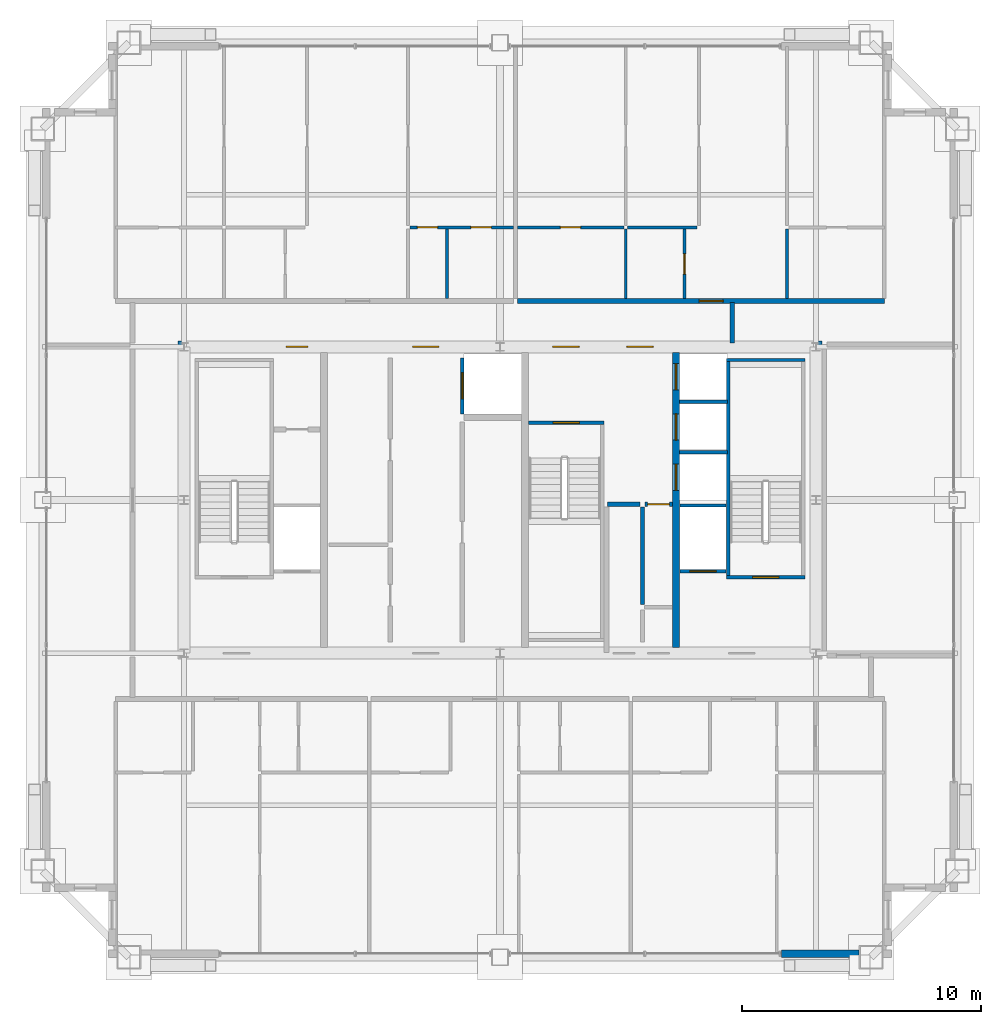
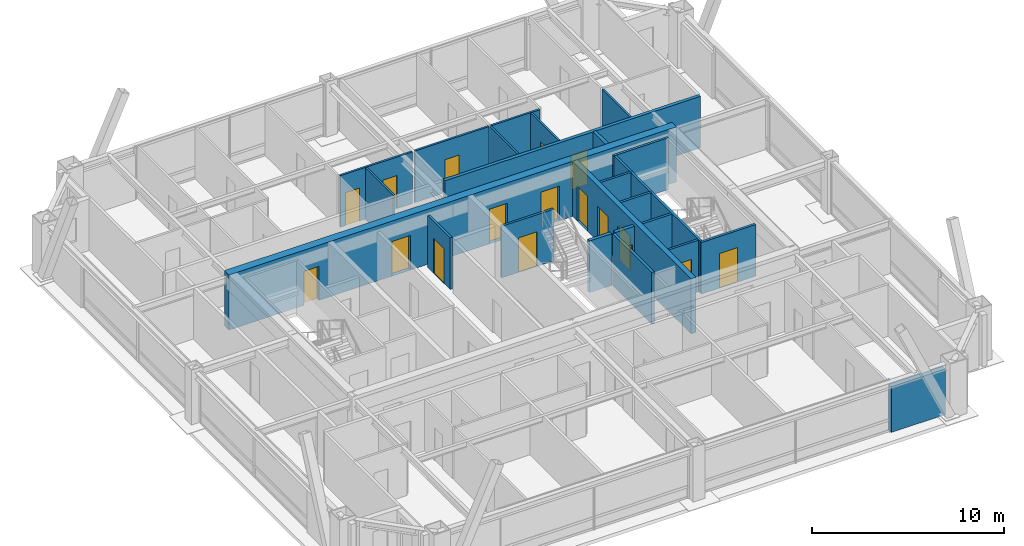
# One storey, part 32 of 35: 24 walls, 17 doors, 17 openings.
"""IFC4 building model written with IfcOpenShell, lengths in metres."""

from ifc_helpers import new_model, si_unit, direction, frame, frame_2d, origin, place, context, subcontext, project, spatial, rectangle, extrude, source, transform, mapped, material, layer, layer_set, type_object, element, fill, save


model = new_model("IFC4")

# Units and contexts
model_context = context("Model", 3, precision=1e-05, world=origin(), true_north=direction((0.0, 1.0)))
body_context = subcontext(model_context, "Body", "Model", "MODEL_VIEW")
ifc_project = project(units=[si_unit("LENGTHUNIT", "METRE"), si_unit("AREAUNIT", "SQUARE_METRE"), si_unit("VOLUMEUNIT", "CUBIC_METRE"), si_unit("PLANEANGLEUNIT", "RADIAN"), si_unit("MASSUNIT", "GRAM", prefix="KILO"), si_unit("THERMODYNAMICTEMPERATUREUNIT", "KELVIN"), si_unit("POWERUNIT", "WATT")], contexts=[model_context])

# Site, building, storey
site_placement = place(None, origin())
site = spatial("IfcSite", under=ifc_project, at=site_placement, CompositionType="ELEMENT")
building_placement = place(site_placement, origin())
building = spatial("IfcBuilding", under=site, at=building_placement, Name="Yuzanri Waterfront Tower", CompositionType="ELEMENT")
storey_placement = place(building_placement, frame((0.0, 0.0, 285.60009765625)))
storey = spatial("IfcBuildingStorey", under=building, at=storey_placement, Name="L76", CompositionType="ELEMENT", Elevation=285.60009765625)

# Wall, openings, doors
ifc_material_1 = material(Name="Moisture-Resistant Gypsum Stud Wall", Category="gypsum")
ifc_layer_1 = layer(ifc_material_1, 0.1201171875)
ifc_layer_set_1 = layer_set([ifc_layer_1], Name="Moisture-Resistant Gypsum Stud Wall")
wall_type_1 = type_object("IfcWallType", Name="Bathroom and Kitchen Wet Partition 120", PredefinedType="PARTITIONING", material=ifc_layer_set_1)
wall_1_placement = place(storey_placement, frame((33.239990234375, 37.18994140625, 0.0), z_axis=(0.0, 0.0, 1.0), x_axis=(1.0, 0.0, 0.0)))
wall_1 = element("IfcWall", 1, at=wall_1_placement, inside=storey, type_object=wall_type_1, Name="L76 Partition UW-L76-HN1-SUB-6-S", PredefinedType="PARTITIONING", context=body_context, shape_type="SweptSolid", body=[
    extrude(rectangle(XDim=4.322021484375, YDim=0.1201171875, at=frame_2d((2.1611328125, 0.0))), origin(), (0.0, 0.0, 1.0), 3.27978515625),
])
opening_1_placement = place(wall_1_placement, frame((2.547119140625, 0.0, 0.0)))
opening_1 = element("IfcOpeningElement", 2, at=opening_1_placement, cuts=wall_1, Name="Opening ID-0850", PredefinedType="OPENING", context=body_context, shape_type="SweptSolid", body=[
    extrude(rectangle(XDim=0.85009765625, YDim=2.10009765625, at=frame_2d((0.425048828125, 1.050048828125))), frame((0.0, 0.074951171875, 0.0), z_axis=(0.0, -1.0, 0.0), x_axis=(1.0, 0.0, 0.0)), (0.0, 0.0, 1.0), 0.14990234375),
])
opening_2_placement = place(wall_1_placement, frame((0.305908203125, 0.0, 0.0)))
opening_2 = element("IfcOpeningElement", 3, at=opening_2_placement, cuts=wall_1, Name="Opening ID-0850", PredefinedType="OPENING", context=body_context, shape_type="SweptSolid", body=[
    extrude(rectangle(XDim=0.85009765625, YDim=2.10009765625, at=frame_2d((0.425048828125, 1.050048828125))), frame((0.0, 0.074951171875, 0.0), z_axis=(0.0, -1.0, 0.0), x_axis=(1.0, 0.0, 0.0)), (0.0, 0.0, 1.0), 0.14990234375),
])
ifc_material_2 = material(Name="Moisture-Resistant Lacquered Timber", Category="wood")
door_type_1 = type_object("IfcDoorType", Name="En-Suite Bathroom and Kitchen Swing Door 850x2100", OperationType="NOTDEFINED", PredefinedType="DOOR", material=ifc_material_2)
shared_shape_1 = source(origin(), body_context, "Body", "SweptSolid", [
    extrude(rectangle(XDim=0.85009765625, YDim=2.10009765625, at=frame_2d((0.425048828125, 1.050048828125))), frame((0.0, 0.02490234375, 0.0), z_axis=(0.0, -1.0, 0.0), x_axis=(1.0, 0.0, 0.0)), (0.0, 0.0, 1.0), 0.050048828125),
])
door_1_placement = place(opening_1_placement, origin())
door_1 = element("IfcDoor", 4, at=door_1_placement, inside=storey, type_object=door_type_1, Name="L76 Suite Interior Room Door", OperationType="SINGLE_SWING_RIGHT", OverallHeight=2.10009765625, OverallWidth=0.85009765625, PredefinedType="DOOR", context=body_context, shape_type="MappedRepresentation", body=[
    mapped(shared_shape_1, transform((0.0, 0.0, 0.0), scale=1.0)),
])
fill(opening_1, door_1)
door_2_placement = place(opening_2_placement, origin())
door_2 = element("IfcDoor", 5, at=door_2_placement, inside=storey, type_object=door_type_1, Name="L76 Suite Interior Room Door", OperationType="SINGLE_SWING_LEFT", OverallHeight=2.10009765625, OverallWidth=0.85009765625, PredefinedType="DOOR", context=body_context, shape_type="MappedRepresentation", body=[
    mapped(shared_shape_1, transform((0.0, 0.0, 0.0), scale=1.0)),
])
fill(opening_2, door_2)

# Wall, opening, door
wall_2_placement = place(storey_placement, frame((37.721923828125, 37.18994140625, 0.0), z_axis=(0.0, 0.0, 1.0), x_axis=(1.0, 0.0, 0.0)))
wall_2 = element("IfcWall", 6, at=wall_2_placement, inside=storey, type_object=wall_type_1, Name="L76 Partition UW-L76-HN2-SUB-1-N", PredefinedType="PARTITIONING", context=body_context, shape_type="SweptSolid", body=[
    extrude(rectangle(XDim=4.4501953125, YDim=0.1201171875, at=frame_2d((2.22509765625, 0.0))), origin(), (0.0, 0.0, 1.0), 3.27978515625),
])
opening_3_placement = place(wall_2_placement, frame((1.800048828125, 0.0, 0.0)))
opening_3 = element("IfcOpeningElement", 7, at=opening_3_placement, cuts=wall_2, Name="Opening ID-0850", PredefinedType="OPENING", context=body_context, shape_type="SweptSolid", body=[
    extrude(rectangle(XDim=0.85009765625, YDim=2.10009765625, at=frame_2d((0.425048828125, 1.050048828125))), frame((0.0, 0.074951171875, 0.0), z_axis=(0.0, -1.0, 0.0), x_axis=(1.0, 0.0, 0.0)), (0.0, 0.0, 1.0), 0.14990234375),
])
door_3_placement = place(opening_3_placement, origin())
door_3 = element("IfcDoor", 8, at=door_3_placement, inside=storey, type_object=door_type_1, Name="L76 Suite Interior Room Door", OperationType="SINGLE_SWING_RIGHT", OverallHeight=2.10009765625, OverallWidth=0.85009765625, PredefinedType="DOOR", context=body_context, shape_type="MappedRepresentation", body=[
    mapped(shared_shape_1, transform((0.0, 0.0, 0.0), scale=1.0)),
])
fill(opening_3, door_3)

wall_3_placement = place(storey_placement, frame((44.7041015625, 34.2099609375, 0.0), z_axis=(0.0, 0.0, 1.0), x_axis=(0.0, 1.0, 0.0)))
wall_3 = element("IfcWall", 9, at=wall_3_placement, inside=storey, type_object=wall_type_1, Name="L76 Partition UW-L76-HN2-SUB-2-E", PredefinedType="PARTITIONING", context=body_context, shape_type="SweptSolid", body=[
    extrude(rectangle(XDim=2.900146484375, YDim=0.1201171875, at=frame_2d((1.4501953125, 0.0))), origin(), (0.0, 0.0, 1.0), 3.27978515625),
])
opening_4_placement = place(wall_3_placement, frame((1.02490234375, 0.0, 0.0)))
opening_4 = element("IfcOpeningElement", 10, at=opening_4_placement, cuts=wall_3, Name="Opening ID-0850", PredefinedType="OPENING", context=body_context, shape_type="SweptSolid", body=[
    extrude(rectangle(XDim=0.85009765625, YDim=2.10009765625, at=frame_2d((0.425048828125, 1.050048828125))), frame((0.0, 0.074951171875, 0.0), z_axis=(0.0, -1.0, 0.0), x_axis=(1.0, 0.0, 0.0)), (0.0, 0.0, 1.0), 0.14990234375),
])
door_4_placement = place(opening_4_placement, origin())
door_4 = element("IfcDoor", 11, at=door_4_placement, inside=storey, type_object=door_type_1, Name="L76 Suite Interior Room Door", OperationType="SINGLE_SWING_LEFT", OverallHeight=2.10009765625, OverallWidth=0.85009765625, PredefinedType="DOOR", context=body_context, shape_type="MappedRepresentation", body=[
    mapped(shared_shape_1, transform((0.0, 0.0, 0.0), scale=1.0)),
])
fill(opening_4, door_4)

# Wall, openings, doors
ifc_material_3 = material(Name="Concrete C45", Category="concrete")
ifc_layer_2 = layer(ifc_material_3, 0.47998046875)
ifc_layer_set_2 = layer_set([ifc_layer_2], Name="Concrete C45")
wall_type_2 = type_object("IfcWallType", Name="Concrete C45 High-Rise Core Shear Wall 480", PredefinedType="SHEAR", material=ifc_layer_set_2)
wall_4_placement = place(storey_placement, frame((23.56005859375, 32.199951171875, 0.0), z_axis=(0.0, 0.0, 1.0), x_axis=(1.0, 0.0, 0.0)))
wall_4 = element("IfcWall", 12, at=wall_4_placement, inside=storey, type_object=wall_type_2, Name="L76 Core North Shear Wall", PredefinedType="SHEAR", context=body_context, shape_type="SweptSolid", body=[
    extrude(rectangle(XDim=26.8798828125, YDim=0.47998046875, at=frame_2d((13.43994140625, 0.0))), origin(), (0.0, 0.0, 1.0), 3.5),
])
opening_5_placement = place(wall_4_placement, frame((4.510009765625, 0.0, 0.0)))
opening_5 = element("IfcOpeningElement", 13, at=opening_5_placement, cuts=wall_4, Name="Opening FD-0900", PredefinedType="OPENING", context=body_context, shape_type="SweptSolid", body=[
    extrude(rectangle(XDim=0.89990234375, YDim=2.14990234375, at=frame_2d((0.449951171875, 1.074951171875))), frame((0.0, 0.2548828125, 0.0), z_axis=(0.0, -1.0, 0.0), x_axis=(1.0, 0.0, 0.0)), (0.0, 0.0, 1.0), 0.509765625),
])
opening_6_placement = place(wall_4_placement, frame((9.7900390625, 0.0, 0.0)))
opening_6 = element("IfcOpeningElement", 14, at=opening_6_placement, cuts=wall_4, Name="Opening FD-1100", PredefinedType="OPENING", context=body_context, shape_type="SweptSolid", body=[
    extrude(rectangle(XDim=1.10009765625, YDim=2.199951171875, at=frame_2d((0.550048828125, 1.10009765625))), frame((0.0, 0.2548828125, 0.0), z_axis=(0.0, -1.0, 0.0), x_axis=(1.0, 0.0, 0.0)), (0.0, 0.0, 1.0), 0.509765625),
])
opening_7_placement = place(wall_4_placement, frame((15.639892578125, 0.0, 0.0)))
opening_7 = element("IfcOpeningElement", 15, at=opening_7_placement, cuts=wall_4, Name="Opening FD-1100", PredefinedType="OPENING", context=body_context, shape_type="SweptSolid", body=[
    extrude(rectangle(XDim=1.10009765625, YDim=2.199951171875, at=frame_2d((0.550048828125, 1.10009765625))), frame((0.0, 0.2548828125, 0.0), z_axis=(0.0, -1.0, 0.0), x_axis=(1.0, 0.0, 0.0)), (0.0, 0.0, 1.0), 0.509765625),
])
opening_8_placement = place(wall_4_placement, frame((18.739990234375, 0.0, 0.0)))
opening_8 = element("IfcOpeningElement", 16, at=opening_8_placement, cuts=wall_4, Name="Opening FD-1100", PredefinedType="OPENING", context=body_context, shape_type="SweptSolid", body=[
    extrude(rectangle(XDim=1.10009765625, YDim=2.199951171875, at=frame_2d((0.550048828125, 1.10009765625))), frame((0.0, 0.2548828125, 0.0), z_axis=(0.0, -1.0, 0.0), x_axis=(1.0, 0.0, 0.0)), (0.0, 0.0, 1.0), 0.509765625),
])
ifc_material_4 = material(Name="Painted Galvanized Fire Steel", Category="steel")
door_type_2 = type_object("IfcDoorType", Name="Smoke-Proof Stair and Lobby Fire Door 1100x2200", OperationType="NOTDEFINED", PredefinedType="DOOR", material=ifc_material_4)
shared_shape_2 = source(origin(), body_context, "Body", "SweptSolid", [
    extrude(rectangle(XDim=1.10009765625, YDim=2.199951171875, at=frame_2d((0.550048828125, 1.10009765625))), frame((0.0, 0.02490234375, 0.0), z_axis=(0.0, -1.0, 0.0), x_axis=(1.0, 0.0, 0.0)), (0.0, 0.0, 1.0), 0.050048828125),
])
door_5_placement = place(opening_6_placement, origin())
door_5 = element("IfcDoor", 17, at=door_5_placement, inside=storey, type_object=door_type_2, Name="L76 Central Lift Lobby North Door", OperationType="SINGLE_SWING_RIGHT", OverallHeight=2.199951171875, OverallWidth=1.10009765625, PredefinedType="DOOR", context=body_context, shape_type="MappedRepresentation", body=[
    mapped(shared_shape_2, transform((0.0, 0.0, 0.0), scale=1.0)),
])
fill(opening_6, door_5)
door_6_placement = place(opening_7_placement, origin())
door_6 = element("IfcDoor", 18, at=door_6_placement, inside=storey, type_object=door_type_2, Name="L76 North Stair Lobby Door", OperationType="SINGLE_SWING_LEFT", OverallHeight=2.199951171875, OverallWidth=1.10009765625, PredefinedType="DOOR", context=body_context, shape_type="MappedRepresentation", body=[
    mapped(shared_shape_2, transform((0.0, 0.0, 0.0), scale=1.0)),
])
fill(opening_7, door_6)
door_7_placement = place(opening_8_placement, origin())
door_7 = element("IfcDoor", 19, at=door_7_placement, inside=storey, type_object=door_type_2, Name="L76 High-Rise Lift Lobby North Door", OperationType="SINGLE_SWING_RIGHT", OverallHeight=2.199951171875, OverallWidth=1.10009765625, PredefinedType="DOOR", context=body_context, shape_type="MappedRepresentation", body=[
    mapped(shared_shape_2, transform((0.0, 0.0, 0.0), scale=1.0)),
])
fill(opening_8, door_7)
ifc_material_5 = material(Name="Painted Galvanized Fire Steel", Category="steel")
door_type_3 = type_object("IfcDoorType", Name="Riser and Service Room Fire Door 900x2150", OperationType="NOTDEFINED", PredefinedType="DOOR", material=ifc_material_5)
shared_shape_3 = source(origin(), body_context, "Body", "SweptSolid", [
    extrude(rectangle(XDim=0.89990234375, YDim=2.14990234375, at=frame_2d((0.449951171875, 1.074951171875))), frame((0.0, 0.02490234375, 0.0), z_axis=(0.0, -1.0, 0.0), x_axis=(1.0, 0.0, 0.0)), (0.0, 0.0, 1.0), 0.050048828125),
])
door_8_placement = place(opening_5_placement, origin())
door_8 = element("IfcDoor", 20, at=door_8_placement, inside=storey, type_object=door_type_3, Name="L76 Telecom Riser Door", OperationType="SINGLE_SWING_LEFT", OverallHeight=2.14990234375, OverallWidth=0.89990234375, PredefinedType="DOOR", context=body_context, shape_type="MappedRepresentation", body=[
    mapped(shared_shape_3, transform((0.0, 0.0, 0.0), scale=1.0)),
])
fill(opening_5, door_8)

ifc_material_6 = material(Name="Concrete C50", Category="concrete")
ifc_layer_3 = layer(ifc_material_6, 0.300048828125)
ifc_layer_set_3 = layer_set([ifc_layer_3], Name="Concrete C50")
wall_type_3 = type_object("IfcWallType", Name="Concrete C50 Internal Core Shaft Structural Wall 300", PredefinedType="SOLIDWALL", material=ifc_layer_set_3)
wall_5_placement = place(storey_placement, frame((44.35009765625, 19.639892578125, 0.0), z_axis=(0.0, 0.0, 1.0), x_axis=(0.0, 1.0, 0.0)))
wall_5 = element("IfcWall", 21, at=wall_5_placement, inside=storey, type_object=wall_type_3, Name="L76 Core Internal Structural Web Wall 3", PredefinedType="SOLIDWALL", context=body_context, shape_type="SweptSolid", body=[
    extrude(rectangle(XDim=12.320068359375, YDim=0.300048828125, at=frame_2d((6.16015625, 0.0))), origin(), (0.0, 0.0, 1.0), 3.5),
])
opening_9_placement = place(wall_5_placement, frame((6.56005859375, 0.0, 0.0)))
opening_9 = element("IfcOpeningElement", 22, at=opening_9_placement, cuts=wall_5, Name="Opening LD-PL-09", PredefinedType="OPENING", context=body_context, shape_type="SweptSolid", body=[
    extrude(rectangle(XDim=1.10009765625, YDim=2.199951171875, at=frame_2d((0.550048828125, 1.10009765625))), frame((0.0, 0.1650390625, 0.0), z_axis=(0.0, -1.0, 0.0), x_axis=(1.0, 0.0, 0.0)), (0.0, 0.0, 1.0), 0.329833984375),
])
opening_10_placement = place(wall_5_placement, frame((8.659912109375, 0.0, 0.0)))
opening_10 = element("IfcOpeningElement", 23, at=opening_10_placement, cuts=wall_5, Name="Opening LD-PL-10", PredefinedType="OPENING", context=body_context, shape_type="SweptSolid", body=[
    extrude(rectangle(XDim=1.10009765625, YDim=2.199951171875, at=frame_2d((0.550048828125, 1.10009765625))), frame((0.0, 0.1650390625, 0.0), z_axis=(0.0, -1.0, 0.0), x_axis=(1.0, 0.0, 0.0)), (0.0, 0.0, 1.0), 0.329833984375),
])
opening_11_placement = place(wall_5_placement, frame((10.760009765625, 0.0, 0.0)))
opening_11 = element("IfcOpeningElement", 24, at=opening_11_placement, cuts=wall_5, Name="Opening LD-PL-11", PredefinedType="OPENING", context=body_context, shape_type="SweptSolid", body=[
    extrude(rectangle(XDim=1.10009765625, YDim=2.199951171875, at=frame_2d((0.550048828125, 1.10009765625))), frame((0.0, 0.1650390625, 0.0), z_axis=(0.0, -1.0, 0.0), x_axis=(1.0, 0.0, 0.0)), (0.0, 0.0, 1.0), 0.329833984375),
])
ifc_material_7 = material(Name="Brushed Bronze and Stainless Steel Cab", Category="steel")
door_type_4 = type_object("IfcDoorType", Name="Center-Parting Bronze Lift Landing Sliding Door 1100x2200", OperationType="NOTDEFINED", PredefinedType="DOOR", material=ifc_material_7)
shared_shape_4 = source(origin(), body_context, "Body", "SweptSolid", [
    extrude(rectangle(XDim=1.10009765625, YDim=2.199951171875, at=frame_2d((0.550048828125, 1.10009765625))), frame((0.0, 0.02490234375, 0.0), z_axis=(0.0, -1.0, 0.0), x_axis=(1.0, 0.0, 0.0)), (0.0, 0.0, 1.0), 0.050048828125),
])
door_9_placement = place(opening_9_placement, origin())
door_9 = element("IfcDoor", 25, at=door_9_placement, inside=storey, type_object=door_type_4, Name="L76 PL-09 Lift Landing Sliding Door", OperationType="SLIDING_TO_LEFT", OverallHeight=2.199951171875, OverallWidth=1.10009765625, PredefinedType="DOOR", context=body_context, shape_type="MappedRepresentation", body=[
    mapped(shared_shape_4, transform((0.0, 0.0, 0.0), scale=1.0)),
])
fill(opening_9, door_9)
door_10_placement = place(opening_10_placement, origin())
door_10 = element("IfcDoor", 26, at=door_10_placement, inside=storey, type_object=door_type_4, Name="L76 PL-10 Lift Landing Sliding Door", OperationType="SLIDING_TO_RIGHT", OverallHeight=2.199951171875, OverallWidth=1.10009765625, PredefinedType="DOOR", context=body_context, shape_type="MappedRepresentation", body=[
    mapped(shared_shape_4, transform((0.0, 0.0, 0.0), scale=1.0)),
])
fill(opening_10, door_10)
door_11_placement = place(opening_11_placement, origin())
door_11 = element("IfcDoor", 27, at=door_11_placement, inside=storey, type_object=door_type_4, Name="L76 PL-11 Lift Landing Sliding Door", OperationType="SLIDING_TO_LEFT", OverallHeight=2.199951171875, OverallWidth=1.10009765625, PredefinedType="DOOR", context=body_context, shape_type="MappedRepresentation", body=[
    mapped(shared_shape_4, transform((0.0, 0.0, 0.0), scale=1.0)),
])
fill(opening_11, door_11)

# Wall, opening, door
ifc_material_8 = material(Name="Concrete C40", Category="concrete")
ifc_layer_4 = layer(ifc_material_8, 0.139892578125)
ifc_layer_set_4 = layer_set([ifc_layer_4], Name="Concrete C40")
wall_type_4 = type_object("IfcWallType", Name="Core Stair Liner and Hoistway Shaft Wall 140", PredefinedType="SOLIDWALL", material=ifc_layer_set_4)
wall_6_placement = place(storey_placement, frame((44.52001953125, 22.830078125, 0.0), z_axis=(0.0, 0.0, 1.0), x_axis=(1.0, 0.0, 0.0)))
wall_6 = element("IfcWall", 28, at=wall_6_placement, inside=storey, type_object=wall_type_4, Name="L76 Lift FL-02 Front Shaft Wall", PredefinedType="SOLIDWALL", context=body_context, shape_type="SweptSolid", body=[
    extrude(rectangle(XDim=1.919921875, YDim=0.139892578125, at=frame_2d((0.9599609375, 0.0))), origin(), (0.0, 0.0, 1.0), 3.27978515625),
])
opening_12_placement = place(wall_6_placement, frame((0.409912109375, 0.0, 0.0)))
opening_12 = element("IfcOpeningElement", 29, at=opening_12_placement, cuts=wall_6, Name="Opening LD-FL-02", PredefinedType="OPENING", context=body_context, shape_type="SweptSolid", body=[
    extrude(rectangle(XDim=1.10009765625, YDim=2.199951171875, at=frame_2d((0.550048828125, 1.10009765625))), frame((0.0, 0.0849609375, 0.0), z_axis=(0.0, -1.0, 0.0), x_axis=(1.0, 0.0, 0.0)), (0.0, 0.0, 1.0), 0.169677734375),
])
door_12_placement = place(opening_12_placement, origin())
door_12 = element("IfcDoor", 30, at=door_12_placement, inside=storey, type_object=door_type_4, Name="L76 FL-02 Lift Landing Sliding Door", OperationType="SLIDING_TO_RIGHT", OverallHeight=2.199951171875, OverallWidth=1.10009765625, PredefinedType="DOOR", context=body_context, shape_type="MappedRepresentation", body=[
    mapped(shared_shape_4, transform((0.0, 0.0, 0.0), scale=1.0)),
])
fill(opening_12, door_12)

wall_7_placement = place(storey_placement, frame((35.429931640625, 29.39990234375, 0.0), z_axis=(0.0, 0.0, 1.0), x_axis=(0.0, 1.0, 0.0)))
wall_7 = element("IfcWall", 31, at=wall_7_placement, inside=storey, type_object=wall_type_4, Name="L76 Lift SL-02 Front Shaft Wall", PredefinedType="SOLIDWALL", context=body_context, shape_type="SweptSolid", body=[
    extrude(rectangle(XDim=2.340087890625, YDim=0.139892578125, at=frame_2d((1.169921875, 0.0))), origin(), (0.0, 0.0, 1.0), 3.27978515625),
])
opening_13_placement = place(wall_7_placement, frame((0.6201171875, 0.0, 0.0)))
opening_13 = element("IfcOpeningElement", 32, at=opening_13_placement, cuts=wall_7, Name="Opening LD-SL-02", PredefinedType="OPENING", context=body_context, shape_type="SweptSolid", body=[
    extrude(rectangle(XDim=1.10009765625, YDim=2.199951171875, at=frame_2d((0.550048828125, 1.10009765625))), frame((0.0, 0.0849609375, 0.0), z_axis=(0.0, -1.0, 0.0), x_axis=(1.0, 0.0, 0.0)), (0.0, 0.0, 1.0), 0.169677734375),
])
door_13_placement = place(opening_13_placement, origin())
door_13 = element("IfcDoor", 33, at=door_13_placement, inside=storey, type_object=door_type_4, Name="L76 SL-02 Lift Landing Sliding Door", OperationType="SLIDING_TO_RIGHT", OverallHeight=2.199951171875, OverallWidth=1.10009765625, PredefinedType="DOOR", context=body_context, shape_type="MappedRepresentation", body=[
    mapped(shared_shape_4, transform((0.0, 0.0, 0.0), scale=1.0)),
])
fill(opening_13, door_13)

wall_8_placement = place(storey_placement, frame((46.4599609375, 22.570068359375, 0.0), z_axis=(0.0, 0.0, 1.0), x_axis=(1.0, 0.0, 0.0)))
wall_8 = element("IfcWall", 34, at=wall_8_placement, inside=storey, type_object=wall_type_4, Name="L76 Shaft Wall STW-L76-ST-02-S", PredefinedType="SOLIDWALL", context=body_context, shape_type="SweptSolid", body=[
    extrude(rectangle(XDim=3.280029296875, YDim=0.139892578125, at=frame_2d((1.64013671875, 0.0))), origin(), (0.0, 0.0, 1.0), 3.27978515625),
])
opening_14_placement = place(wall_8_placement, frame((1.090087890625, 0.0, 0.0)))
opening_14 = element("IfcOpeningElement", 35, at=opening_14_placement, cuts=wall_8, Name="Opening FD-1100", PredefinedType="OPENING", context=body_context, shape_type="SweptSolid", body=[
    extrude(rectangle(XDim=1.10009765625, YDim=2.199951171875, at=frame_2d((0.550048828125, 1.10009765625))), frame((0.0, 0.0849609375, 0.0), z_axis=(0.0, -1.0, 0.0), x_axis=(1.0, 0.0, 0.0)), (0.0, 0.0, 1.0), 0.169677734375),
])
door_14_placement = place(opening_14_placement, origin())
door_14 = element("IfcDoor", 36, at=door_14_placement, inside=storey, type_object=door_type_2, Name="L76 Stair ST-02 Fire Door", OperationType="SINGLE_SWING_RIGHT", OverallHeight=2.199951171875, OverallWidth=1.10009765625, PredefinedType="DOOR", context=body_context, shape_type="MappedRepresentation", body=[
    mapped(shared_shape_2, transform((0.0, 0.0, 0.0), scale=1.0)),
])
fill(opening_14, door_14)

wall_9_placement = place(storey_placement, frame((38.199951171875, 29.030029296875, 0.0), z_axis=(0.0, 0.0, 1.0), x_axis=(1.0, 0.0, 0.0)))
wall_9 = element("IfcWall", 37, at=wall_9_placement, inside=storey, type_object=wall_type_4, Name="L76 Shaft Wall STW-L76-ST-03-N", PredefinedType="SOLIDWALL", context=body_context, shape_type="SweptSolid", body=[
    extrude(rectangle(XDim=3.14013671875, YDim=0.139892578125, at=frame_2d((1.570068359375, 0.0))), origin(), (0.0, 0.0, 1.0), 3.27978515625),
])
opening_15_placement = place(wall_9_placement, frame((1.02001953125, 0.0, 0.0)))
opening_15 = element("IfcOpeningElement", 38, at=opening_15_placement, cuts=wall_9, Name="Opening FD-1100", PredefinedType="OPENING", context=body_context, shape_type="SweptSolid", body=[
    extrude(rectangle(XDim=1.10009765625, YDim=2.199951171875, at=frame_2d((0.550048828125, 1.10009765625))), frame((0.0, 0.0849609375, 0.0), z_axis=(0.0, -1.0, 0.0), x_axis=(1.0, 0.0, 0.0)), (0.0, 0.0, 1.0), 0.169677734375),
])
door_15_placement = place(opening_15_placement, origin())
door_15 = element("IfcDoor", 39, at=door_15_placement, inside=storey, type_object=door_type_2, Name="L76 Stair ST-03 Fire Door", OperationType="SINGLE_SWING_LEFT", OverallHeight=2.199951171875, OverallWidth=1.10009765625, PredefinedType="DOOR", context=body_context, shape_type="MappedRepresentation", body=[
    mapped(shared_shape_2, transform((0.0, 0.0, 0.0), scale=1.0)),
])
fill(opening_15, door_15)

ifc_material_9 = material(Name="Autoclaved Aerated Concrete Blockwork", Category="masonry")
ifc_layer_5 = layer(ifc_material_9, 0.199951171875)
ifc_layer_set_5 = layer_set([ifc_layer_5], Name="Autoclaved Aerated Concrete Blockwork")
wall_type_5 = type_object("IfcWallType", Name="Corridor and Unit Party Fire Wall 200", PredefinedType="PARTITIONING", material=ifc_layer_set_5)
wall_10_placement = place(storey_placement, frame((43.050048828125, 25.6201171875, 0.0), z_axis=(0.0, 0.0, 1.0), x_axis=(1.0, 0.0, 0.0)))
wall_10 = element("IfcWall", 40, at=wall_10_placement, inside=storey, type_object=wall_type_5, Name="L76 Partition CRW-L76-BOHH-2", PredefinedType="PARTITIONING", context=body_context, shape_type="SweptSolid", body=[
    extrude(rectangle(XDim=1.14990234375, YDim=0.199951171875, at=frame_2d((0.574951171875, 0.0))), origin(), (0.0, 0.0, 1.0), 3.27978515625),
])
opening_16_placement = place(wall_10_placement, frame((0.1201171875, 0.0, 0.0)))
opening_16 = element("IfcOpeningElement", 41, at=opening_16_placement, cuts=wall_10, Name="Opening FD-0900", PredefinedType="OPENING", context=body_context, shape_type="SweptSolid", body=[
    extrude(rectangle(XDim=0.89990234375, YDim=2.14990234375, at=frame_2d((0.449951171875, 1.074951171875))), frame((0.0, 0.11474609375, 0.0), z_axis=(0.0, -1.0, 0.0), x_axis=(1.0, 0.0, 0.0)), (0.0, 0.0, 1.0), 0.229736328125),
])
door_16_placement = place(opening_16_placement, origin())
door_16 = element("IfcDoor", 42, at=door_16_placement, inside=storey, type_object=door_type_3, Name="L76 Linen Store Room", OperationType="SINGLE_SWING_LEFT", OverallHeight=2.14990234375, OverallWidth=0.89990234375, PredefinedType="DOOR", context=body_context, shape_type="MappedRepresentation", body=[
    mapped(shared_shape_3, transform((0.0, 0.0, 0.0), scale=1.0)),
])
fill(opening_16, door_16)

wall_11_placement = place(storey_placement, frame((37.721923828125, 34.110107421875, 0.0), z_axis=(0.0, 0.0, 1.0), x_axis=(1.0, 0.0, 0.0)))
wall_11 = element("IfcWall", 43, at=wall_11_placement, inside=storey, type_object=wall_type_5, Name="L76 Partition UW-L76-HN2-CS", PredefinedType="PARTITIONING", context=body_context, shape_type="SweptSolid", body=[
    extrude(rectangle(XDim=15.338134765625, YDim=0.199951171875, at=frame_2d((7.6689453125, 0.0))), origin(), (0.0, 0.0, 1.0), 3.27978515625),
])
opening_17_placement = place(wall_11_placement, frame((7.596923828125, 0.0, 0.0)))
opening_17 = element("IfcOpeningElement", 44, at=opening_17_placement, cuts=wall_11, Name="Opening FD-1000", PredefinedType="OPENING", context=body_context, shape_type="SweptSolid", body=[
    extrude(rectangle(XDim=1.0, YDim=2.199951171875, at=frame_2d((0.5, 1.10009765625))), frame((0.0, 0.11474609375, 0.0), z_axis=(0.0, -1.0, 0.0), x_axis=(1.0, 0.0, 0.0)), (0.0, 0.0, 1.0), 0.229736328125),
])
ifc_material_10 = material(Name="Engineered Oak Fire-Rated Timber", Category="wood")
door_type_5 = type_object("IfcDoorType", Name="Guestroom and Apartment Entrance Fire Door 1000x2200", OperationType="NOTDEFINED", PredefinedType="DOOR", material=ifc_material_10)
shared_shape_5 = source(origin(), body_context, "Body", "SweptSolid", [
    extrude(rectangle(XDim=1.0, YDim=2.199951171875, at=frame_2d((0.5, 1.10009765625))), frame((0.0, 0.02490234375, 0.0), z_axis=(0.0, -1.0, 0.0), x_axis=(1.0, 0.0, 0.0)), (0.0, 0.0, 1.0), 0.050048828125),
])
door_17_placement = place(opening_17_placement, origin())
door_17 = element("IfcDoor", 45, at=door_17_placement, inside=storey, type_object=door_type_5, Name="L76 Apartment Living and Dining Salon Entrance Door", OperationType="SINGLE_SWING_LEFT", OverallHeight=2.199951171875, OverallWidth=1.0, PredefinedType="DOOR", context=body_context, shape_type="MappedRepresentation", body=[
    mapped(shared_shape_5, transform((0.0, 0.0, 0.0), scale=1.0)),
])
fill(opening_17, door_17)

# Walls
ifc_material_11 = material(Name="Honed Chongqing Dark Basalt Stone", Category="masonry")
ifc_layer_6 = layer(ifc_material_11, 0.300048828125)
ifc_layer_set_6 = layer_set([ifc_layer_6], Name="Honed Chongqing Dark Basalt Stone")
wall_type_6 = type_object("IfcWallType", Name="Bronze Rainscreen Insulated Spandrel Portal Wall 300", PredefinedType="SOLIDWALL", material=ifc_layer_set_6)
shared_shape_6 = source(origin(), body_context, "Body", "SweptSolid", [
    extrude(rectangle(XDim=3.25, YDim=0.300048828125, at=frame_2d((1.625, 0.0))), origin(), (0.0, 0.0, 1.0), 2.885009765625),
])
wall_12_placement = place(storey_placement, frame((48.75, 6.85009765625, 0.0), z_axis=(0.0, 0.0, 1.0), x_axis=(1.0, 0.0, 0.0)))
element("IfcWall", 46, at=wall_12_placement, inside=storey, type_object=wall_type_6, Name="L76 S Right Braced Masonry Shoulder", PredefinedType="SOLIDWALL", context=body_context, shape_type="MappedRepresentation", body=[
    mapped(shared_shape_6, transform((0.0, 0.0, 0.0), scale=1.0)),
])
shared_shape_7 = source(origin(), body_context, "Body", "SweptSolid", [
    extrude(rectangle(XDim=1.919921875, YDim=0.139892578125, at=frame_2d((0.9599609375, 0.0))), origin(), (0.0, 0.0, 1.0), 3.27978515625),
])
wall_13_placement = place(storey_placement, frame((44.52001953125, 25.570068359375, 0.0), z_axis=(0.0, 0.0, 1.0), x_axis=(1.0, 0.0, 0.0)))
element("IfcWall", 47, at=wall_13_placement, inside=storey, type_object=wall_type_4, Name="L76 Lift FL-02 Back Shaft Wall", PredefinedType="SOLIDWALL", context=body_context, shape_type="MappedRepresentation", body=[
    mapped(shared_shape_7, transform((0.0, 0.0, 0.0), scale=1.0)),
])
shared_shape_8 = source(origin(), body_context, "Body", "SweptSolid", [
    extrude(rectangle(XDim=2.0, YDim=0.139892578125, at=frame_2d((1.0, 0.0))), origin(), (0.0, 0.0, 1.0), 3.27978515625),
])
for number, where, z_axis, x_axis, name in (
    (48, (44.5, 27.800048828125, 0.0), (0.0, 0.0, 1.0), (1.0, 0.0, 0.0), "L76 Lift PL-09 Divider Wall"),
    (49, (44.5, 29.89990234375, 0.0), (0.0, 0.0, 1.0), (1.0, 0.0, 0.0), "L76 Lift PL-10 Divider Wall"),
):
    element("IfcWall", number, at=place(storey_placement, frame(where, z_axis=z_axis, x_axis=x_axis)), inside=storey, type_object=wall_type_4, Name=name, PredefinedType="SOLIDWALL", context=body_context, shape_type="MappedRepresentation", body=[
        mapped(shared_shape_8, transform((0.0, 0.0, 0.0), scale=1.0)),
    ])
shared_shape_9 = source(origin(), body_context, "Body", "SweptSolid", [
    extrude(rectangle(XDim=3.280029296875, YDim=0.139892578125, at=frame_2d((1.64013671875, 0.0))), origin(), (0.0, 0.0, 1.0), 3.27978515625),
])
wall_14_placement = place(storey_placement, frame((46.4599609375, 31.64990234375, 0.0), z_axis=(0.0, 0.0, 1.0), x_axis=(1.0, 0.0, 0.0)))
element("IfcWall", 50, at=wall_14_placement, inside=storey, type_object=wall_type_4, Name="L76 Stair ST-02 North Shaft Wall", PredefinedType="SOLIDWALL", context=body_context, shape_type="MappedRepresentation", body=[
    mapped(shared_shape_9, transform((0.0, 0.0, 0.0), scale=1.0)),
])
shared_shape_10 = source(origin(), body_context, "Body", "SweptSolid", [
    extrude(rectangle(XDim=8.940185546875, YDim=0.139892578125, at=frame_2d((4.47021484375, 0.0))), origin(), (0.0, 0.0, 1.0), 3.27978515625),
])
wall_15_placement = place(storey_placement, frame((46.530029296875, 22.639892578125, 0.0), z_axis=(0.0, 0.0, 1.0), x_axis=(0.0, 1.0, 0.0)))
element("IfcWall", 51, at=wall_15_placement, inside=storey, type_object=wall_type_4, Name="L76 Stair ST-02 West Shaft Wall", PredefinedType="SOLIDWALL", context=body_context, shape_type="MappedRepresentation", body=[
    mapped(shared_shape_10, transform((0.0, 0.0, 0.0), scale=1.0)),
])
shared_shape_11 = source(origin(), body_context, "Body", "SweptSolid", [
    extrude(rectangle(XDim=1.35009765625, YDim=0.199951171875, at=frame_2d((0.675048828125, 0.0))), origin(), (0.0, 0.0, 1.0), 3.27978515625),
])
wall_16_placement = place(storey_placement, frame((41.5, 25.6201171875, 0.0), z_axis=(0.0, 0.0, 1.0), x_axis=(1.0, 0.0, 0.0)))
element("IfcWall", 52, at=wall_16_placement, inside=storey, type_object=wall_type_5, Name="L76 Core BOH Split Wall 1", PredefinedType="PARTITIONING", context=body_context, shape_type="MappedRepresentation", body=[
    mapped(shared_shape_11, transform((0.0, 0.0, 0.0), scale=1.0)),
])
ifc_material_12 = material(Name="Gypsum Fireboard Acoustic Stud Wall", Category="gypsum")
ifc_layer_7 = layer(ifc_material_12, 0.159912109375)
ifc_layer_set_7 = layer_set([ifc_layer_7], Name="Gypsum Fireboard Acoustic Stud Wall")
wall_type_7 = type_object("IfcWallType", Name="Acoustic Suite Demising Partition 160", PredefinedType="PARTITIONING", material=ifc_layer_set_7)
shared_shape_12 = source(origin(), body_context, "Body", "SweptSolid", [
    extrude(rectangle(XDim=4.06005859375, YDim=0.159912109375, at=frame_2d((2.030029296875, 0.0))), origin(), (0.0, 0.0, 1.0), 3.27978515625),
])
wall_17_placement = place(storey_placement, frame((42.949951171875, 21.43994140625, 0.0), z_axis=(0.0, 0.0, 1.0), x_axis=(0.0, 1.0, 0.0)))
element("IfcWall", 53, at=wall_17_placement, inside=storey, type_object=wall_type_7, Name="L76 Core BOH Mid Wall 2", PredefinedType="PARTITIONING", context=body_context, shape_type="MappedRepresentation", body=[
    mapped(shared_shape_12, transform((0.0, 0.0, 0.0), scale=1.0)),
])
shared_shape_13 = source(origin(), body_context, "Body", "SweptSolid", [
    extrude(rectangle(XDim=1.699951171875, YDim=0.199951171875, at=frame_2d((0.85009765625, 0.0))), origin(), (0.0, 0.0, 1.0), 3.27978515625),
])
wall_18_placement = place(storey_placement, frame((46.699951171875, 32.35009765625, 0.0), z_axis=(0.0, 0.0, 1.0), x_axis=(0.0, 1.0, 0.0)))
element("IfcWall", 54, at=wall_18_placement, inside=storey, type_object=wall_type_5, Name="L76 North Foyer East End Wall", PredefinedType="PARTITIONING", context=body_context, shape_type="MappedRepresentation", body=[
    mapped(shared_shape_13, transform((0.0, 0.0, 0.0), scale=1.0)),
])
shared_shape_14 = source(origin(), body_context, "Body", "SweptSolid", [
    extrude(rectangle(XDim=2.900146484375, YDim=0.1201171875, at=frame_2d((1.4501953125, 0.0))), origin(), (0.0, 0.0, 1.0), 3.27978515625),
])
for number, where, z_axis, x_axis, name in (
    (55, (34.781982421875, 34.2099609375, 0.0), (0.0, 0.0, 1.0), (0.0, 1.0, 0.0), "L76 Partition UW-L76-HN1-SUB-3-W"),
    (56, (42.251953125, 34.2099609375, 0.0), (0.0, 0.0, 1.0), (0.0, 1.0, 0.0), "L76 Partition UW-L76-HN2-SUB-1-E"),
    (57, (48.991943359375, 34.2099609375, 0.0), (0.0, 0.0, 1.0), (0.0, 1.0, 0.0), "L76 Partition UW-L76-HN2-SUB-3-W"),
):
    element("IfcWall", number, at=place(storey_placement, frame(where, z_axis=z_axis, x_axis=x_axis)), inside=storey, type_object=wall_type_1, Name=name, PredefinedType="PARTITIONING", context=body_context, shape_type="MappedRepresentation", body=[
        mapped(shared_shape_14, transform((0.0, 0.0, 0.0), scale=1.0)),
    ])
shared_shape_15 = source(origin(), body_context, "Body", "SweptSolid", [
    extrude(rectangle(XDim=2.89501953125, YDim=0.1201171875, at=frame_2d((1.447509765625, 0.0))), origin(), (0.0, 0.0, 1.0), 3.27978515625),
])
wall_19_placement = place(storey_placement, frame((42.33203125, 37.18994140625, 0.0), z_axis=(0.0, 0.0, 1.0), x_axis=(1.0, 0.0, 0.0)))
element("IfcWall", 58, at=wall_19_placement, inside=storey, type_object=wall_type_1, Name="L76 Partition UW-L76-HN2-SUB-6-S", PredefinedType="PARTITIONING", context=body_context, shape_type="MappedRepresentation", body=[
    mapped(shared_shape_15, transform((0.0, 0.0, 0.0), scale=1.0)),
])

save(model, "model.ifc")
